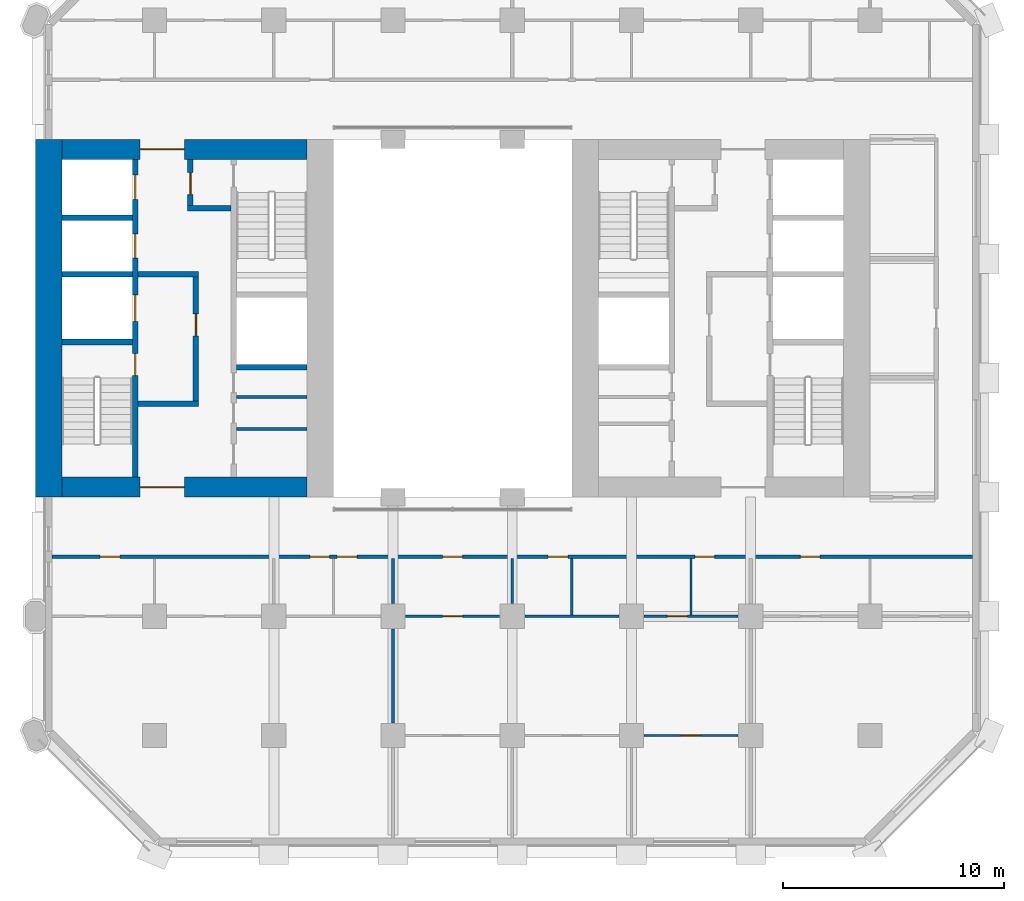
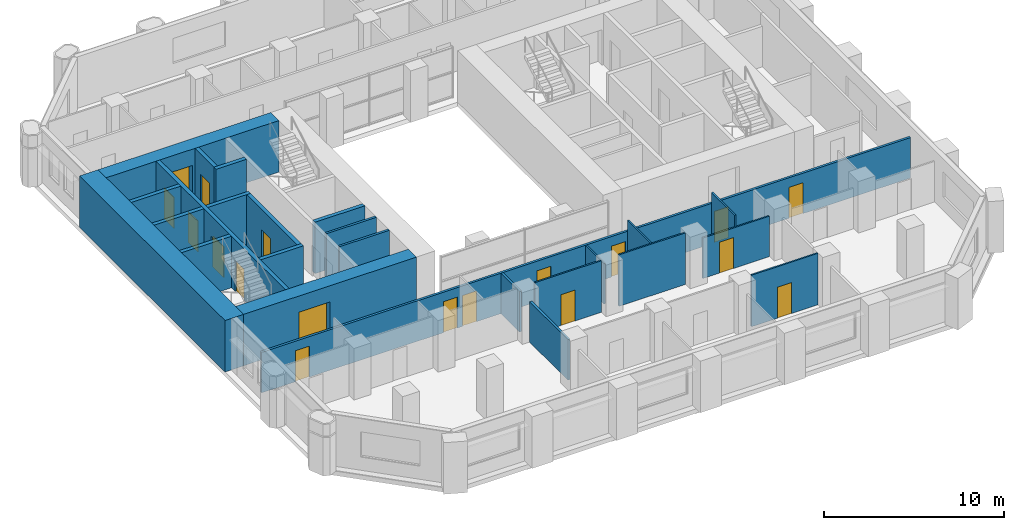
# One storey, part 8 of 13: 25 walls, 18 doors, 18 openings.
"""IFC4 building model written with IfcOpenShell, lengths in metres."""

import ifcopenshell
import ifcopenshell.guid

model = None  # the IFC model being written
_history = None  # IfcOwnerHistory: only IFC2X3 demands one
_inside = {}  # id of a spatial element -> (the spatial element, [elements in it])
_under = {}  # id of a project, library or spatial element -> (it, [spatial elements below it])
_declared = {}  # id of a project -> (the project, [libraries it declares])
_typed = {}  # id of a type object -> (the type object, [elements of that type])
_made_of = {}  # id of a material, layer set ... -> (it, [elements and type objects made of it])


def new_model(schema):
    """Start an empty IFC model of exactly this schema.

    Asked for "IFC4X3", IfcOpenShell would pick the latest addendum, in which some entities
    have other attributes; the version numbers below select the first issue.
    IFC2X3 requires an IfcOwnerHistory on every rooted entity: one is made here for all.
    """
    global model, _history
    if schema == "IFC4X3":
        model = ifcopenshell.file(schema_version=(4, 3, 0, 0))
    else:
        model = ifcopenshell.file(schema=schema)
    _inside.clear()
    _under.clear()
    _declared.clear()
    _typed.clear()
    _made_of.clear()
    _history = None
    if model.schema == "IFC2X3":
        org = make("IfcOrganization", Name="unknown")
        user = make(
            "IfcPersonAndOrganization",
            ThePerson=make("IfcPerson", FamilyName="unknown"),
            TheOrganization=org,
        )
        app = make(
            "IfcApplication",
            ApplicationDeveloper=org,
            Version="unknown",
            ApplicationFullName="unknown",
            ApplicationIdentifier="unknown",
        )
        _history = make(
            "IfcOwnerHistory",
            OwningUser=user,
            OwningApplication=app,
            ChangeAction="ADDED",
            CreationDate=0,
        )
    return model


def make(cls, **values):
    """One entity of the class cls with the attributes given. An attribute that is None is left unset."""
    return model.create_entity(
        cls, **{name: value for name, value in values.items() if value is not None}
    )


def rooted(cls, **values):
    """An entity with a GlobalId (a new one), such as an element, a storey or a relation."""
    return make(cls, GlobalId=ifcopenshell.guid.new(), OwnerHistory=_history, **values)


def si_unit(unit_type, name, prefix=None):
    """IfcSIUnit, for example si_unit("LENGTHUNIT", "METRE", prefix="MILLI")."""
    return make("IfcSIUnit", UnitType=unit_type, Prefix=prefix, Name=name)


def assignment(units):
    """IfcUnitAssignment: the units of a project."""
    return None if units is None else make("IfcUnitAssignment", Units=units)


def point(xyz):
    """IfcCartesianPoint."""
    return None if xyz is None else make("IfcCartesianPoint", Coordinates=xyz)


def direction(xyz):
    """IfcDirection."""
    return None if xyz is None else make("IfcDirection", DirectionRatios=xyz)


def frame(location, z_axis=None, x_axis=None):
    """IfcAxis2Placement3D, a coordinate frame: its origin and axes. An axis left out is left unset."""
    return make(
        "IfcAxis2Placement3D",
        Location=point(location),
        Axis=direction(z_axis),
        RefDirection=direction(x_axis),
    )


def frame_2d(location, x_axis=None):
    """IfcAxis2Placement2D, a coordinate frame in the plane: its origin and x axis."""
    return make(
        "IfcAxis2Placement2D", Location=point(location), RefDirection=direction(x_axis)
    )


def origin():
    """The frame at (0, 0, 0) with its axes left unset."""
    return frame((0.0, 0.0, 0.0))


def place(relative_to, where):
    """IfcLocalPlacement: puts the frame where relative to a parent placement (None: the world)."""
    return make(
        "IfcLocalPlacement", PlacementRelTo=relative_to, RelativePlacement=where
    )


def context(
    kind, dimensions, precision=None, world=None, true_north=None, identifier=None
):
    """IfcGeometricRepresentationContext, for example the 3D "Model" context."""
    return make(
        "IfcGeometricRepresentationContext",
        ContextIdentifier=identifier,
        ContextType=kind,
        CoordinateSpaceDimension=dimensions,
        Precision=precision,
        WorldCoordinateSystem=world,
        TrueNorth=true_north,
    )


def subcontext(parent, identifier, kind, view, scale=None):
    """IfcGeometricRepresentationSubContext, for example "Body" below "Model"."""
    return make(
        "IfcGeometricRepresentationSubContext",
        ContextIdentifier=identifier,
        ContextType=kind,
        ParentContext=parent,
        TargetScale=scale,
        TargetView=view,
    )


def project(units=None, contexts=None):
    """IfcProject with its units and contexts."""
    return rooted(
        "IfcProject",
        Name="project",
        RepresentationContexts=contexts,
        UnitsInContext=assignment(units),
    )


def spatial(cls, under=None, at=None, **own):
    """A site, building, storey or space (cls), placed at a placement, below another one or the project."""
    s = rooted(cls, ObjectPlacement=at, **own)
    if under is not None:
        _under.setdefault(under.id(), (under, []))[1].append(s)
    return s


def profile(cls, at=None, kind="AREA", **sizes):
    """A parametric profile (cls). Its sizes go by their IFC names, for example OverallWidth=200.0."""
    return make(cls, ProfileType=kind, Position=at, **sizes)


def rectangle(**sizes):
    """IfcRectangleProfileDef."""
    return profile("IfcRectangleProfileDef", **sizes)


def extrude(swept, where, along, depth):
    """IfcExtrudedAreaSolid: the profile swept, set in the frame where, extruded along a direction by depth."""
    return make(
        "IfcExtrudedAreaSolid",
        SweptArea=swept,
        Position=where,
        ExtrudedDirection=direction(along),
        Depth=depth,
    )


def shape(context_of_items, identifier, shape_type, items):
    """IfcShapeRepresentation: the items that make up one representation, for example the "Body"."""
    return make(
        "IfcShapeRepresentation",
        ContextOfItems=context_of_items,
        RepresentationIdentifier=identifier,
        RepresentationType=shape_type,
        Items=items,
    )


def material(Name=None, Category=None):
    """IfcMaterial."""
    return make("IfcMaterial", Name=Name, Category=Category)


def layer(
    of_material, thickness, ventilated=None, Name=None, Category=None, Priority=None
):
    """IfcMaterialLayer: one layer of a wall or slab, of a material (None: an air gap)."""
    return make(
        "IfcMaterialLayer",
        Material=of_material,
        LayerThickness=thickness,
        IsVentilated=ventilated,
        Name=Name,
        Category=Category,
        Priority=Priority,
    )


def layer_set(layers, Name=None):
    """IfcMaterialLayerSet."""
    return make("IfcMaterialLayerSet", MaterialLayers=layers, LayerSetName=Name)


def made_of(thing, what):
    """Note that an element or type object is made of a material, layer set ...; save() writes the relation."""
    if what is not None:
        _made_of.setdefault(what.id(), (what, []))[1].append(thing)
    return thing


def type_object(cls, material=None, **own):
    """A type object (cls), such as IfcWallType, which elements share."""
    return made_of(rooted(cls, **own), material)


def element(
    cls,
    number,
    at=None,
    inside=None,
    cuts=None,
    type_object=None,
    material=None,
    context=None,
    identifier="Body",
    shape_type=None,
    held_by="IfcProductDefinitionShape",
    body=None,
    shapes=None,
    **own,
):
    """One element of the class cls, such as IfcWall. Its Tag is "e" and its number.

    at: its placement. inside: the storey or other place that contains it. cuts: it is an
    opening in that element (IfcRelVoidsElement). A single representation is given by context,
    identifier, shape_type and body (its items); several are given by shapes. held_by: the class
    of the entity that holds the representations. save() writes the other relations.
    """
    e = rooted(cls, Tag="e%d" % number, ObjectPlacement=at, **own)
    if body is not None:
        shapes = [shape(context, identifier, shape_type, body)]
    if shapes is not None:
        e.Representation = make(held_by, Representations=shapes)
    if inside is not None:
        _inside.setdefault(inside.id(), (inside, []))[1].append(e)
    if cuts is not None:
        rooted(
            "IfcRelVoidsElement", RelatingBuildingElement=cuts, RelatedOpeningElement=e
        )
    if type_object is not None:
        _typed.setdefault(type_object.id(), (type_object, []))[1].append(e)
    return made_of(e, material)


def fill(opening, filler):
    """IfcRelFillsElement: the door or window that sits in an opening."""
    return rooted(
        "IfcRelFillsElement",
        RelatingOpeningElement=opening,
        RelatedBuildingElement=filler,
    )


def aggregate(whole, parts):
    """IfcRelAggregates: a whole, such as a stair, and the parts it consists of."""
    return rooted("IfcRelAggregates", RelatingObject=whole, RelatedObjects=parts)


def save(model, path):
    """Write the relations noted so far, then the file.

    IfcRelAggregates (storeys below a building ...), IfcRelContainedInSpatialStructure (elements
    in a storey), IfcRelDefinesByType, IfcRelAssociatesMaterial and IfcRelDeclares: one each for
    every whole, place, type object, material and project.
    """
    for whole, parts in _under.values():
        aggregate(whole, parts)
    for where, things in _inside.values():
        rooted(
            "IfcRelContainedInSpatialStructure",
            RelatedElements=things,
            RelatingStructure=where,
        )
    for kind, things in _typed.values():
        rooted("IfcRelDefinesByType", RelatedObjects=things, RelatingType=kind)
    for what, things in _made_of.values():
        rooted("IfcRelAssociatesMaterial", RelatedObjects=things, RelatingMaterial=what)
    for by, libraries in _declared.values():
        rooted("IfcRelDeclares", RelatingContext=by, RelatedDefinitions=libraries)
    model.write(path)


model = new_model("IFC4")

# Units and contexts
model_context = context("Model", 3, precision=1e-05, world=origin(), true_north=direction((0.0, 1.0)))
body_context = subcontext(model_context, "Body", "Model", "MODEL_VIEW")
ifc_project = project(units=[si_unit("LENGTHUNIT", "METRE"), si_unit("AREAUNIT", "SQUARE_METRE"), si_unit("VOLUMEUNIT", "CUBIC_METRE"), si_unit("PLANEANGLEUNIT", "RADIAN"), si_unit("MASSUNIT", "GRAM", prefix="KILO")], contexts=[model_context])

# Site, building, storey
site_placement = place(None, origin())
site = spatial("IfcSite", under=ifc_project, at=site_placement, CompositionType="ELEMENT")
building_placement = place(site_placement, origin())
building = spatial("IfcBuilding", under=site, at=building_placement, Name="Tabaq Tower and Sports Hall", CompositionType="ELEMENT")
storey_placement = place(building_placement, frame((0.0, 0.0, 41.199951171875)))
storey = spatial("IfcBuildingStorey", under=building, at=storey_placement, Name="L08", CompositionType="ELEMENT", Elevation=41.199951171875)

# Walls
ifc_material_1 = material(Name="Blockwork", Category="masonry")
ifc_layer_1 = layer(ifc_material_1, 0.14990234375)
ifc_layer_set_1 = layer_set([ifc_layer_1], Name="Core room partition 150 Blockwork")
wall_type_1 = type_object("IfcWallType", Name="Core room partition 150 Blockwork", PredefinedType="PARTITIONING", material=ifc_layer_set_1)
for number, where, z_axis, x_axis, name in (
    (1, (14.5, 19.282958984375, 0.0), (0.0, 0.0, 1.0), (1.0, 0.0, 0.0), "Core room partition W L08"),
    (2, (14.5, 20.738037109375, 0.0), (0.0, 0.0, 1.0), (1.0, 0.0, 0.0), "Core room partition W L08"),
):
    element("IfcWall", number, at=place(storey_placement, frame(where, z_axis=z_axis, x_axis=x_axis)), inside=storey, type_object=wall_type_1, Name=name, PredefinedType="PARTITIONING", context=body_context, shape_type="SweptSolid", body=[
        extrude(rectangle(XDim=3.199951171875, YDim=0.14990234375, at=frame_2d((1.60009765625, 0.0))), origin(), (0.0, 0.0, 1.0), 3.5),
    ])
ifc_material_2 = material(Name="Concrete C60/75", Category="concrete")
ifc_layer_2 = layer(ifc_material_2, 1.199951171875)
ifc_layer_set_2 = layer_set([ifc_layer_2], Name="Core wall 1200 Concrete C60/75")
wall_type_2 = type_object("IfcWallType", Name="Core wall 1200 Concrete C60/75", PredefinedType="SOLIDWALL", material=ifc_layer_set_2)
wall_1_placement = place(storey_placement, frame((6.0, 16.199951171875, 0.0), z_axis=(0.0, 0.0, 1.0), x_axis=(0.0, 1.0, 0.0)))
element("IfcWall", 3, at=wall_1_placement, inside=storey, type_object=wall_type_2, Name="Core wall W L08", PredefinedType="SOLIDWALL", context=body_context, shape_type="SweptSolid", body=[
    extrude(rectangle(XDim=16.199951171875, YDim=1.199951171875, at=frame_2d((8.10009765625, 0.0))), origin(), (0.0, 0.0, 1.0), 3.5),
])

# Wall, opening, door
ifc_material_3 = material(Name="Concrete C60/75", Category="concrete")
ifc_layer_3 = layer(ifc_material_3, 0.89990234375)
ifc_layer_set_3 = layer_set([ifc_layer_3], Name="Core wall 900 Concrete C60/75")
wall_type_3 = type_object("IfcWallType", Name="Core wall 900 Concrete C60/75", PredefinedType="SOLIDWALL", material=ifc_layer_set_3)
wall_2_placement = place(storey_placement, frame((17.699951171875, 16.64990234375, 0.0), z_axis=(0.0, 0.0, 1.0), x_axis=(-1.0, 0.0, 0.0)))
wall_2 = element("IfcWall", 4, at=wall_2_placement, inside=storey, type_object=wall_type_3, Name="Core wall W L08", PredefinedType="SOLIDWALL", context=body_context, shape_type="SweptSolid", body=[
    extrude(rectangle(XDim=11.099853515625, YDim=0.89990234375, at=frame_2d((5.5498046875, 0.0))), origin(), (0.0, 0.0, 1.0), 3.5),
])
opening_1_placement = place(wall_2_placement, frame((5.550048828125, 0.0, 0.0)))
opening_1 = element("IfcOpeningElement", 5, at=opening_1_placement, cuts=wall_2, Name="Opening PD-WL08-01", PredefinedType="OPENING", context=body_context, shape_type="SweptSolid", body=[
    extrude(rectangle(XDim=2.0, YDim=2.39990234375, at=frame_2d((1.0, 1.199951171875))), frame((0.0, 0.449951171875, 0.0), z_axis=(0.0, -1.0, 0.0), x_axis=(1.0, 0.0, 0.0)), (0.0, 0.0, 1.0), 0.89990234375),
])
ifc_material_4 = material(Name="Steel fire door", Category="steel")
door_type_1 = type_object("IfcDoorType", Name="Core entrance door 2000", OperationType="DOUBLE_DOOR_SINGLE_SWING", PredefinedType="DOOR", material=ifc_material_4)
door_1_placement = place(opening_1_placement, origin())
door_1 = element("IfcDoor", 6, at=door_1_placement, inside=storey, type_object=door_type_1, Name="Core entrance south W L08", OperationType="DOUBLE_DOOR_SINGLE_SWING", OverallHeight=2.39990234375, OverallWidth=2.0, PredefinedType="DOOR", context=body_context, shape_type="SweptSolid", body=[
    extrude(rectangle(XDim=2.0, YDim=2.39990234375, at=frame_2d((1.0, 1.199951171875))), frame((0.0, 0.02490234375, 0.0), z_axis=(0.0, -1.0, 0.0), x_axis=(1.0, 0.0, 0.0)), (0.0, 0.0, 1.0), 0.050048828125),
])
fill(opening_1, door_1)

wall_3_placement = place(storey_placement, frame((6.60009765625, 31.949951171875, 0.0), z_axis=(0.0, 0.0, 1.0), x_axis=(1.0, 0.0, 0.0)))
wall_3 = element("IfcWall", 7, at=wall_3_placement, inside=storey, type_object=wall_type_3, Name="Core wall W L08", PredefinedType="SOLIDWALL", context=body_context, shape_type="SweptSolid", body=[
    extrude(rectangle(XDim=11.099853515625, YDim=0.89990234375, at=frame_2d((5.5498046875, 0.0))), origin(), (0.0, 0.0, 1.0), 3.5),
])
opening_2_placement = place(wall_3_placement, frame((3.550048828125, 0.0, 0.0)))
opening_2 = element("IfcOpeningElement", 8, at=opening_2_placement, cuts=wall_3, Name="Opening PD-WL08-02", PredefinedType="OPENING", context=body_context, shape_type="SweptSolid", body=[
    extrude(rectangle(XDim=2.0, YDim=2.39990234375, at=frame_2d((1.0, 1.199951171875))), frame((0.0, 0.449951171875, 0.0), z_axis=(0.0, -1.0, 0.0), x_axis=(1.0, 0.0, 0.0)), (0.0, 0.0, 1.0), 0.89990234375),
])
door_2_placement = place(opening_2_placement, origin())
door_2 = element("IfcDoor", 9, at=door_2_placement, inside=storey, type_object=door_type_1, Name="Core entrance north W L08", OperationType="DOUBLE_DOOR_SINGLE_SWING", OverallHeight=2.39990234375, OverallWidth=2.0, PredefinedType="DOOR", context=body_context, shape_type="SweptSolid", body=[
    extrude(rectangle(XDim=2.0, YDim=2.39990234375, at=frame_2d((1.0, 1.199951171875))), frame((0.0, 0.02490234375, 0.0), z_axis=(0.0, -1.0, 0.0), x_axis=(1.0, 0.0, 0.0)), (0.0, 0.0, 1.0), 0.050048828125),
])
fill(opening_2, door_2)

ifc_material_5 = material(Name="Gypsum board on steel studs", Category="steel")
ifc_layer_4 = layer(ifc_material_5, 0.10009765625)
ifc_layer_set_4 = layer_set([ifc_layer_4], Name="Partition 100 Gypsum board")
wall_type_4 = type_object("IfcWallType", Name="Partition 100 Gypsum board", PredefinedType="PARTITIONING", material=ifc_layer_set_4)
wall_4_placement = place(storey_placement, frame((22.169921875, 10.800048828125, 0.0), z_axis=(0.0, 0.0, 1.0), x_axis=(1.0, 0.0, 0.0)))
wall_4 = element("IfcWall", 10, at=wall_4_placement, inside=storey, type_object=wall_type_4, Name="Partition wall L08", PredefinedType="PARTITIONING", context=body_context, shape_type="SweptSolid", body=[
    extrude(rectangle(XDim=4.260009765625, YDim=0.10009765625, at=frame_2d((2.1298828125, 0.0))), origin(), (0.0, 0.0, 1.0), 3.5),
])
opening_3_placement = place(wall_4_placement, frame((1.679931640625, 0.0, 0.0)))
opening_3 = element("IfcOpeningElement", 11, at=opening_3_placement, cuts=wall_4, Name="Opening L08-029", PredefinedType="OPENING", context=body_context, shape_type="SweptSolid", body=[
    extrude(rectangle(XDim=0.89990234375, YDim=2.10009765625, at=frame_2d((0.449951171875, 1.050048828125))), frame((0.0, 0.050048828125, 0.0), z_axis=(0.0, -1.0, 0.0), x_axis=(1.0, 0.0, 0.0)), (0.0, 0.0, 1.0), 0.10009765625),
])
ifc_material_6 = material(Name="Timber leaf in steel frame", Category="steel")
door_type_2 = type_object("IfcDoorType", Name="Internal door 900 right hand", OperationType="SINGLE_SWING_RIGHT", PredefinedType="DOOR", material=ifc_material_6)
door_3_placement = place(opening_3_placement, origin())
door_3 = element("IfcDoor", 12, at=door_3_placement, inside=storey, type_object=door_type_2, Name="Internal door L08-029", OperationType="SINGLE_SWING_RIGHT", OverallHeight=2.10009765625, OverallWidth=0.89990234375, PredefinedType="DOOR", context=body_context, shape_type="SweptSolid", body=[
    extrude(rectangle(XDim=0.89990234375, YDim=2.10009765625, at=frame_2d((0.449951171875, 1.050048828125))), frame((0.0, 0.02490234375, 0.0), z_axis=(0.0, -1.0, 0.0), x_axis=(1.0, 0.0, 0.0)), (0.0, 0.0, 1.0), 0.050048828125),
])
fill(opening_3, door_3)

# Walls
wall_5_placement = place(storey_placement, frame((27.0, 11.3701171875, 0.0), z_axis=(0.0, 0.0, 1.0), x_axis=(0.0, 1.0, 0.0)))
element("IfcWall", 13, at=wall_5_placement, inside=storey, type_object=wall_type_4, Name="Partition wall L08", PredefinedType="PARTITIONING", context=body_context, shape_type="SweptSolid", body=[
    extrude(rectangle(XDim=2.054931640625, YDim=0.10009765625, at=frame_2d((1.02734375, 0.0))), origin(), (0.0, 0.0, 1.0), 2.75),
])
wall_6_placement = place(storey_placement, frame((29.699951171875, 10.85009765625, 0.0), z_axis=(0.0, 0.0, 1.0), x_axis=(0.0, 1.0, 0.0)))
element("IfcWall", 14, at=wall_6_placement, inside=storey, type_object=wall_type_4, Name="Partition wall L08", PredefinedType="PARTITIONING", context=body_context, shape_type="SweptSolid", body=[
    extrude(rectangle(XDim=2.574951171875, YDim=0.10009765625, at=frame_2d((1.28759765625, 0.0))), origin(), (0.0, 0.0, 1.0), 3.5),
])
wall_7_placement = place(storey_placement, frame((27.570068359375, 10.800048828125, 0.0), z_axis=(0.0, 0.0, 1.0), x_axis=(1.0, 0.0, 0.0)))
element("IfcWall", 15, at=wall_7_placement, inside=storey, type_object=wall_type_4, Name="Partition wall L08", PredefinedType="PARTITIONING", context=body_context, shape_type="SweptSolid", body=[
    extrude(rectangle(XDim=4.260009765625, YDim=0.10009765625, at=frame_2d((2.1298828125, 0.0))), origin(), (0.0, 0.0, 1.0), 3.5),
])
wall_8_placement = place(storey_placement, frame((35.10009765625, 10.85009765625, 0.0), z_axis=(0.0, 0.0, 1.0), x_axis=(0.0, 1.0, 0.0)))
element("IfcWall", 16, at=wall_8_placement, inside=storey, type_object=wall_type_4, Name="Partition wall L08", PredefinedType="PARTITIONING", context=body_context, shape_type="SweptSolid", body=[
    extrude(rectangle(XDim=2.574951171875, YDim=0.10009765625, at=frame_2d((1.28759765625, 0.0))), origin(), (0.0, 0.0, 1.0), 3.5),
])

# Wall, opening, door
wall_9_placement = place(storey_placement, frame((32.969970703125, 10.800048828125, 0.0), z_axis=(0.0, 0.0, 1.0), x_axis=(1.0, 0.0, 0.0)))
wall_9 = element("IfcWall", 17, at=wall_9_placement, inside=storey, type_object=wall_type_4, Name="Partition wall L08", PredefinedType="PARTITIONING", context=body_context, shape_type="SweptSolid", body=[
    extrude(rectangle(XDim=4.260009765625, YDim=0.10009765625, at=frame_2d((2.1298828125, 0.0))), origin(), (0.0, 0.0, 1.0), 2.75),
])
opening_4_placement = place(wall_9_placement, frame((1.06005859375, 0.0, 0.0)))
opening_4 = element("IfcOpeningElement", 18, at=opening_4_placement, cuts=wall_9, Name="Opening L08-018", PredefinedType="OPENING", context=body_context, shape_type="SweptSolid", body=[
    extrude(rectangle(XDim=0.89990234375, YDim=2.10009765625, at=frame_2d((0.449951171875, 1.050048828125))), frame((0.0, 0.050048828125, 0.0), z_axis=(0.0, -1.0, 0.0), x_axis=(1.0, 0.0, 0.0)), (0.0, 0.0, 1.0), 0.10009765625),
])
ifc_material_7 = material(Name="Timber leaf in steel frame", Category="steel")
door_type_3 = type_object("IfcDoorType", Name="Internal door 900 left hand", OperationType="SINGLE_SWING_LEFT", PredefinedType="DOOR", material=ifc_material_7)
door_4_placement = place(opening_4_placement, origin())
door_4 = element("IfcDoor", 19, at=door_4_placement, inside=storey, type_object=door_type_3, Name="Internal door L08-018", OperationType="SINGLE_SWING_LEFT", OverallHeight=2.10009765625, OverallWidth=0.89990234375, PredefinedType="DOOR", context=body_context, shape_type="SweptSolid", body=[
    extrude(rectangle(XDim=0.89990234375, YDim=2.10009765625, at=frame_2d((0.449951171875, 1.050048828125))), frame((0.0, 0.02490234375, 0.0), z_axis=(0.0, -1.0, 0.0), x_axis=(1.0, 0.0, 0.0)), (0.0, 0.0, 1.0), 0.050048828125),
])
fill(opening_4, door_4)

wall_10_placement = place(storey_placement, frame((32.969970703125, 5.39990234375, 0.0), z_axis=(0.0, 0.0, 1.0), x_axis=(1.0, 0.0, 0.0)))
wall_10 = element("IfcWall", 20, at=wall_10_placement, inside=storey, type_object=wall_type_4, Name="Partition wall L08", PredefinedType="PARTITIONING", context=body_context, shape_type="SweptSolid", body=[
    extrude(rectangle(XDim=4.260009765625, YDim=0.10009765625, at=frame_2d((2.1298828125, 0.0))), origin(), (0.0, 0.0, 1.0), 3.5),
])
opening_5_placement = place(wall_10_placement, frame((1.679931640625, 0.0, 0.0)))
opening_5 = element("IfcOpeningElement", 21, at=opening_5_placement, cuts=wall_10, Name="Opening L08-021", PredefinedType="OPENING", context=body_context, shape_type="SweptSolid", body=[
    extrude(rectangle(XDim=0.89990234375, YDim=2.10009765625, at=frame_2d((0.449951171875, 1.050048828125))), frame((0.0, 0.050048828125, 0.0), z_axis=(0.0, -1.0, 0.0), x_axis=(1.0, 0.0, 0.0)), (0.0, 0.0, 1.0), 0.10009765625),
])
door_5_placement = place(opening_5_placement, origin())
door_5 = element("IfcDoor", 22, at=door_5_placement, inside=storey, type_object=door_type_3, Name="Internal door L08-021", OperationType="SINGLE_SWING_LEFT", OverallHeight=2.10009765625, OverallWidth=0.89990234375, PredefinedType="DOOR", context=body_context, shape_type="SweptSolid", body=[
    extrude(rectangle(XDim=0.89990234375, YDim=2.10009765625, at=frame_2d((0.449951171875, 1.050048828125))), frame((0.0, 0.02490234375, 0.0), z_axis=(0.0, -1.0, 0.0), x_axis=(1.0, 0.0, 0.0)), (0.0, 0.0, 1.0), 0.050048828125),
])
fill(opening_5, door_5)

# Wall, openings, doors
ifc_material_8 = material(Name="Blockwork", Category="masonry")
ifc_layer_5 = layer(ifc_material_8, 0.14990234375)
ifc_layer_set_5 = layer_set([ifc_layer_5], Name="Separating wall 150 Blockwork")
wall_type_5 = type_object("IfcWallType", Name="Separating wall 150 Blockwork", PredefinedType="PARTITIONING", material=ifc_layer_set_5)
wall_11_placement = place(storey_placement, frame((6.15087890625, 13.5, 0.0), z_axis=(0.0, 0.0, 1.0), x_axis=(1.0, 0.0, 0.0)))
wall_11 = element("IfcWall", 23, at=wall_11_placement, inside=storey, type_object=wall_type_5, Name="Separating wall L08", PredefinedType="PARTITIONING", context=body_context, shape_type="SweptSolid", body=[
    extrude(rectangle(XDim=41.6982421875, YDim=0.14990234375, at=frame_2d((20.84912109375, 0.0))), origin(), (0.0, 0.0, 1.0), 2.75),
])
opening_6_placement = place(wall_11_placement, frame((11.678955078125, 0.0, 0.0)))
opening_6 = element("IfcOpeningElement", 24, at=opening_6_placement, cuts=wall_11, Name="Opening L08-005", PredefinedType="OPENING", context=body_context, shape_type="SweptSolid", body=[
    extrude(rectangle(XDim=0.89990234375, YDim=2.10009765625, at=frame_2d((0.449951171875, 1.050048828125))), frame((0.0, 0.074951171875, 0.0), z_axis=(0.0, -1.0, 0.0), x_axis=(1.0, 0.0, 0.0)), (0.0, 0.0, 1.0), 0.14990234375),
])
opening_7_placement = place(wall_11_placement, frame((12.9189453125, 0.0, 0.0)))
opening_7 = element("IfcOpeningElement", 25, at=opening_7_placement, cuts=wall_11, Name="Opening L08-006", PredefinedType="OPENING", context=body_context, shape_type="SweptSolid", body=[
    extrude(rectangle(XDim=0.89990234375, YDim=2.10009765625, at=frame_2d((0.449951171875, 1.050048828125))), frame((0.0, 0.074951171875, 0.0), z_axis=(0.0, -1.0, 0.0), x_axis=(1.0, 0.0, 0.0)), (0.0, 0.0, 1.0), 0.14990234375),
])
opening_8_placement = place(wall_11_placement, frame((22.47900390625, 0.0, 0.0)))
opening_8 = element("IfcOpeningElement", 26, at=opening_8_placement, cuts=wall_11, Name="Opening L08-007", PredefinedType="OPENING", context=body_context, shape_type="SweptSolid", body=[
    extrude(rectangle(XDim=0.89990234375, YDim=2.10009765625, at=frame_2d((0.449951171875, 1.050048828125))), frame((0.0, 0.074951171875, 0.0), z_axis=(0.0, -1.0, 0.0), x_axis=(1.0, 0.0, 0.0)), (0.0, 0.0, 1.0), 0.14990234375),
])
opening_9_placement = place(wall_11_placement, frame((29.118896484375, 0.0, 0.0)))
opening_9 = element("IfcOpeningElement", 27, at=opening_9_placement, cuts=wall_11, Name="Opening L08-008", PredefinedType="OPENING", context=body_context, shape_type="SweptSolid", body=[
    extrude(rectangle(XDim=0.89990234375, YDim=2.10009765625, at=frame_2d((0.449951171875, 1.050048828125))), frame((0.0, 0.074951171875, 0.0), z_axis=(0.0, -1.0, 0.0), x_axis=(1.0, 0.0, 0.0)), (0.0, 0.0, 1.0), 0.14990234375),
])
opening_10_placement = place(wall_11_placement, frame((2.174072265625, 0.0, 0.0)))
opening_10 = element("IfcOpeningElement", 28, at=opening_10_placement, cuts=wall_11, Name="Opening L08-024", PredefinedType="OPENING", context=body_context, shape_type="SweptSolid", body=[
    extrude(rectangle(XDim=0.89990234375, YDim=2.10009765625, at=frame_2d((0.449951171875, 1.050048828125))), frame((0.0, 0.074951171875, 0.0), z_axis=(0.0, -1.0, 0.0), x_axis=(1.0, 0.0, 0.0)), (0.0, 0.0, 1.0), 0.14990234375),
])
opening_11_placement = place(wall_11_placement, frame((17.698974609375, 0.0, 0.0)))
opening_11 = element("IfcOpeningElement", 29, at=opening_11_placement, cuts=wall_11, Name="Opening L08-025", PredefinedType="OPENING", context=body_context, shape_type="SweptSolid", body=[
    extrude(rectangle(XDim=0.89990234375, YDim=2.10009765625, at=frame_2d((0.449951171875, 1.050048828125))), frame((0.0, 0.074951171875, 0.0), z_axis=(0.0, -1.0, 0.0), x_axis=(1.0, 0.0, 0.0)), (0.0, 0.0, 1.0), 0.14990234375),
])
opening_12_placement = place(wall_11_placement, frame((33.89892578125, 0.0, 0.0)))
opening_12 = element("IfcOpeningElement", 30, at=opening_12_placement, cuts=wall_11, Name="Opening L08-026", PredefinedType="OPENING", context=body_context, shape_type="SweptSolid", body=[
    extrude(rectangle(XDim=0.89990234375, YDim=2.10009765625, at=frame_2d((0.449951171875, 1.050048828125))), frame((0.0, 0.074951171875, 0.0), z_axis=(0.0, -1.0, 0.0), x_axis=(1.0, 0.0, 0.0)), (0.0, 0.0, 1.0), 0.14990234375),
])
ifc_material_9 = material(Name="Steel fire door", Category="steel")
door_type_4 = type_object("IfcDoorType", Name="Entrance door 900 right hand", OperationType="SINGLE_SWING_RIGHT", PredefinedType="DOOR", material=ifc_material_9)
door_6_placement = place(opening_6_placement, origin())
door_6 = element("IfcDoor", 31, at=door_6_placement, inside=storey, type_object=door_type_4, Name="Entrance door L08-005", OperationType="SINGLE_SWING_RIGHT", OverallHeight=2.10009765625, OverallWidth=0.89990234375, PredefinedType="DOOR", context=body_context, shape_type="SweptSolid", body=[
    extrude(rectangle(XDim=0.89990234375, YDim=2.10009765625, at=frame_2d((0.449951171875, 1.050048828125))), frame((0.0, 0.02490234375, 0.0), z_axis=(0.0, -1.0, 0.0), x_axis=(1.0, 0.0, 0.0)), (0.0, 0.0, 1.0), 0.050048828125),
])
fill(opening_6, door_6)
door_7_placement = place(opening_7_placement, origin())
door_7 = element("IfcDoor", 32, at=door_7_placement, inside=storey, type_object=door_type_4, Name="Entrance door L08-006", OperationType="SINGLE_SWING_RIGHT", OverallHeight=2.10009765625, OverallWidth=0.89990234375, PredefinedType="DOOR", context=body_context, shape_type="SweptSolid", body=[
    extrude(rectangle(XDim=0.89990234375, YDim=2.10009765625, at=frame_2d((0.449951171875, 1.050048828125))), frame((0.0, 0.02490234375, 0.0), z_axis=(0.0, -1.0, 0.0), x_axis=(1.0, 0.0, 0.0)), (0.0, 0.0, 1.0), 0.050048828125),
])
fill(opening_7, door_7)
door_8_placement = place(opening_8_placement, origin())
door_8 = element("IfcDoor", 33, at=door_8_placement, inside=storey, type_object=door_type_4, Name="Entrance door L08-007", OperationType="SINGLE_SWING_RIGHT", OverallHeight=2.10009765625, OverallWidth=0.89990234375, PredefinedType="DOOR", context=body_context, shape_type="SweptSolid", body=[
    extrude(rectangle(XDim=0.89990234375, YDim=2.10009765625, at=frame_2d((0.449951171875, 1.050048828125))), frame((0.0, 0.02490234375, 0.0), z_axis=(0.0, -1.0, 0.0), x_axis=(1.0, 0.0, 0.0)), (0.0, 0.0, 1.0), 0.050048828125),
])
fill(opening_8, door_8)
door_9_placement = place(opening_9_placement, origin())
door_9 = element("IfcDoor", 34, at=door_9_placement, inside=storey, type_object=door_type_4, Name="Entrance door L08-008", OperationType="SINGLE_SWING_RIGHT", OverallHeight=2.10009765625, OverallWidth=0.89990234375, PredefinedType="DOOR", context=body_context, shape_type="SweptSolid", body=[
    extrude(rectangle(XDim=0.89990234375, YDim=2.10009765625, at=frame_2d((0.449951171875, 1.050048828125))), frame((0.0, 0.02490234375, 0.0), z_axis=(0.0, -1.0, 0.0), x_axis=(1.0, 0.0, 0.0)), (0.0, 0.0, 1.0), 0.050048828125),
])
fill(opening_9, door_9)
door_10_placement = place(opening_10_placement, origin())
door_10 = element("IfcDoor", 35, at=door_10_placement, inside=storey, type_object=door_type_4, Name="Entrance door L08-024", OperationType="SINGLE_SWING_RIGHT", OverallHeight=2.10009765625, OverallWidth=0.89990234375, PredefinedType="DOOR", context=body_context, shape_type="SweptSolid", body=[
    extrude(rectangle(XDim=0.89990234375, YDim=2.10009765625, at=frame_2d((0.449951171875, 1.050048828125))), frame((0.0, 0.02490234375, 0.0), z_axis=(0.0, -1.0, 0.0), x_axis=(1.0, 0.0, 0.0)), (0.0, 0.0, 1.0), 0.050048828125),
])
fill(opening_10, door_10)
door_11_placement = place(opening_11_placement, origin())
door_11 = element("IfcDoor", 36, at=door_11_placement, inside=storey, type_object=door_type_4, Name="Entrance door L08-025", OperationType="SINGLE_SWING_RIGHT", OverallHeight=2.10009765625, OverallWidth=0.89990234375, PredefinedType="DOOR", context=body_context, shape_type="SweptSolid", body=[
    extrude(rectangle(XDim=0.89990234375, YDim=2.10009765625, at=frame_2d((0.449951171875, 1.050048828125))), frame((0.0, 0.02490234375, 0.0), z_axis=(0.0, -1.0, 0.0), x_axis=(1.0, 0.0, 0.0)), (0.0, 0.0, 1.0), 0.050048828125),
])
fill(opening_11, door_11)
door_12_placement = place(opening_12_placement, origin())
door_12 = element("IfcDoor", 37, at=door_12_placement, inside=storey, type_object=door_type_4, Name="Entrance door L08-026", OperationType="SINGLE_SWING_RIGHT", OverallHeight=2.10009765625, OverallWidth=0.89990234375, PredefinedType="DOOR", context=body_context, shape_type="SweptSolid", body=[
    extrude(rectangle(XDim=0.89990234375, YDim=2.10009765625, at=frame_2d((0.449951171875, 1.050048828125))), frame((0.0, 0.02490234375, 0.0), z_axis=(0.0, -1.0, 0.0), x_axis=(1.0, 0.0, 0.0)), (0.0, 0.0, 1.0), 0.050048828125),
])
fill(opening_12, door_12)

# Walls
wall_12_placement = place(storey_placement, frame((21.60009765625, 11.3701171875, 0.0), z_axis=(0.0, 0.0, 1.0), x_axis=(0.0, 1.0, 0.0)))
element("IfcWall", 38, at=wall_12_placement, inside=storey, type_object=wall_type_5, Name="Separating wall L08", PredefinedType="PARTITIONING", context=body_context, shape_type="SweptSolid", body=[
    extrude(rectangle(XDim=2.054931640625, YDim=0.14990234375, at=frame_2d((1.02734375, 0.0))), origin(), (0.0, 0.0, 1.0), 2.75),
])
wall_13_placement = place(storey_placement, frame((21.60009765625, 5.969970703125, 0.0), z_axis=(0.0, 0.0, 1.0), x_axis=(0.0, 1.0, 0.0)))
element("IfcWall", 39, at=wall_13_placement, inside=storey, type_object=wall_type_5, Name="Separating wall L08", PredefinedType="PARTITIONING", context=body_context, shape_type="SweptSolid", body=[
    extrude(rectangle(XDim=4.260009765625, YDim=0.14990234375, at=frame_2d((2.1298828125, 0.0))), origin(), (0.0, 0.0, 1.0), 2.75),
])

# Wall, openings, doors
ifc_material_10 = material(Name="Concrete C40/50", Category="concrete")
ifc_layer_6 = layer(ifc_material_10, 0.25)
ifc_layer_set_6 = layer_set([ifc_layer_6], Name="Shaft and stair wall 250 Concrete C40/50")
wall_type_6 = type_object("IfcWallType", Name="Shaft and stair wall 250 Concrete C40/50", PredefinedType="SOLIDWALL", material=ifc_layer_set_6)
wall_14_placement = place(storey_placement, frame((9.925048828125, 17.10009765625, 0.0), z_axis=(0.0, 0.0, 1.0), x_axis=(0.0, 1.0, 0.0)))
wall_14 = element("IfcWall", 40, at=wall_14_placement, inside=storey, type_object=wall_type_6, Name="Shaft wall W L08", PredefinedType="SOLIDWALL", context=body_context, shape_type="SweptSolid", body=[
    extrude(rectangle(XDim=14.39990234375, YDim=0.25, at=frame_2d((7.199951171875, 0.0))), origin(), (0.0, 0.0, 1.0), 3.5),
])
opening_13_placement = place(wall_14_placement, frame((4.60009765625, 0.0, 0.0)))
opening_13 = element("IfcOpeningElement", 41, at=opening_13_placement, cuts=wall_14, Name="Opening SD-WL08-03", PredefinedType="OPENING", context=body_context, shape_type="SweptSolid", body=[
    extrude(rectangle(XDim=1.0, YDim=2.10009765625, at=frame_2d((0.5, 1.050048828125))), frame((0.0, 0.125, 0.0), z_axis=(0.0, -1.0, 0.0), x_axis=(1.0, 0.0, 0.0)), (0.0, 0.0, 1.0), 0.25),
])
opening_14_placement = place(wall_14_placement, frame((7.0625, 0.0, 0.0)))
opening_14 = element("IfcOpeningElement", 42, at=opening_14_placement, cuts=wall_14, Name="Opening LD-FF1-L08", PredefinedType="OPENING", context=body_context, shape_type="SweptSolid", body=[
    extrude(rectangle(XDim=1.199951171875, YDim=2.10009765625, at=frame_2d((0.60009765625, 1.050048828125))), frame((0.0, 0.125, 0.0), z_axis=(0.0, -1.0, 0.0), x_axis=(1.0, 0.0, 0.0)), (0.0, 0.0, 1.0), 0.25),
])
opening_15_placement = place(wall_14_placement, frame((9.925048828125, 0.0, 0.0)))
opening_15 = element("IfcOpeningElement", 43, at=opening_15_placement, cuts=wall_14, Name="Opening LD-LR1-L08", PredefinedType="OPENING", context=body_context, shape_type="SweptSolid", body=[
    extrude(rectangle(XDim=1.10009765625, YDim=2.10009765625, at=frame_2d((0.550048828125, 1.050048828125))), frame((0.0, 0.125, 0.0), z_axis=(0.0, -1.0, 0.0), x_axis=(1.0, 0.0, 0.0)), (0.0, 0.0, 1.0), 0.25),
])
opening_16_placement = place(wall_14_placement, frame((12.58740234375, 0.0, 0.0)))
opening_16 = element("IfcOpeningElement", 44, at=opening_16_placement, cuts=wall_14, Name="Opening LD-LR2-L08", PredefinedType="OPENING", context=body_context, shape_type="SweptSolid", body=[
    extrude(rectangle(XDim=1.10009765625, YDim=2.10009765625, at=frame_2d((0.550048828125, 1.050048828125))), frame((0.0, 0.125, 0.0), z_axis=(0.0, -1.0, 0.0), x_axis=(1.0, 0.0, 0.0)), (0.0, 0.0, 1.0), 0.25),
])
ifc_material_11 = material(Name="Stainless steel", Category="steel")
door_type_5 = type_object("IfcDoorType", Name="Lift landing door 1100", OperationType="DOUBLE_DOOR_SLIDING", PredefinedType="DOOR", material=ifc_material_11)
door_13_placement = place(opening_15_placement, origin())
door_13 = element("IfcDoor", 45, at=door_13_placement, inside=storey, type_object=door_type_5, Name="Lift landing door LR1 W L08", OperationType="DOUBLE_DOOR_SLIDING", OverallHeight=2.10009765625, OverallWidth=1.10009765625, PredefinedType="DOOR", context=body_context, shape_type="SweptSolid", body=[
    extrude(rectangle(XDim=1.10009765625, YDim=2.10009765625, at=frame_2d((0.550048828125, 1.050048828125))), frame((0.0, 0.02490234375, 0.0), z_axis=(0.0, -1.0, 0.0), x_axis=(1.0, 0.0, 0.0)), (0.0, 0.0, 1.0), 0.050048828125),
])
fill(opening_15, door_13)
door_14_placement = place(opening_16_placement, origin())
door_14 = element("IfcDoor", 46, at=door_14_placement, inside=storey, type_object=door_type_5, Name="Lift landing door LR2 W L08", OperationType="DOUBLE_DOOR_SLIDING", OverallHeight=2.10009765625, OverallWidth=1.10009765625, PredefinedType="DOOR", context=body_context, shape_type="SweptSolid", body=[
    extrude(rectangle(XDim=1.10009765625, YDim=2.10009765625, at=frame_2d((0.550048828125, 1.050048828125))), frame((0.0, 0.02490234375, 0.0), z_axis=(0.0, -1.0, 0.0), x_axis=(1.0, 0.0, 0.0)), (0.0, 0.0, 1.0), 0.050048828125),
])
fill(opening_16, door_14)
ifc_material_12 = material(Name="Stainless steel", Category="steel")
door_type_6 = type_object("IfcDoorType", Name="Lift landing door 1200", OperationType="DOUBLE_DOOR_SLIDING", PredefinedType="DOOR", material=ifc_material_12)
door_15_placement = place(opening_14_placement, origin())
door_15 = element("IfcDoor", 47, at=door_15_placement, inside=storey, type_object=door_type_6, Name="Lift landing door FF1 W L08", OperationType="DOUBLE_DOOR_SLIDING", OverallHeight=2.10009765625, OverallWidth=1.199951171875, PredefinedType="DOOR", context=body_context, shape_type="SweptSolid", body=[
    extrude(rectangle(XDim=1.199951171875, YDim=2.10009765625, at=frame_2d((0.60009765625, 1.050048828125))), frame((0.0, 0.02490234375, 0.0), z_axis=(0.0, -1.0, 0.0), x_axis=(1.0, 0.0, 0.0)), (0.0, 0.0, 1.0), 0.050048828125),
])
fill(opening_14, door_15)
ifc_material_13 = material(Name="Steel fire door", Category="steel")
door_type_7 = type_object("IfcDoorType", Name="Stair door 1000", OperationType="SINGLE_SWING_LEFT", PredefinedType="DOOR", material=ifc_material_13)
door_16_placement = place(opening_13_placement, origin())
door_16 = element("IfcDoor", 48, at=door_16_placement, inside=storey, type_object=door_type_7, Name="Stair door ST1 W L08", OperationType="SINGLE_SWING_LEFT", OverallHeight=2.10009765625, OverallWidth=1.0, PredefinedType="DOOR", context=body_context, shape_type="SweptSolid", body=[
    extrude(rectangle(XDim=1.0, YDim=2.10009765625, at=frame_2d((0.5, 1.050048828125))), frame((0.0, 0.02490234375, 0.0), z_axis=(0.0, -1.0, 0.0), x_axis=(1.0, 0.0, 0.0)), (0.0, 0.0, 1.0), 0.050048828125),
])
fill(opening_13, door_16)

# Walls
for number, where, z_axis, x_axis, name in (
    (49, (6.60009765625, 23.22509765625, 0.0), (0.0, 0.0, 1.0), (1.0, 0.0, 0.0), "Stair enclosure wall W L08"),
    (50, (14.5, 22.074951171875, 0.0), (0.0, 0.0, 1.0), (1.0, 0.0, 0.0), "Shaft wall W L08"),
    (51, (6.60009765625, 26.300048828125, 0.0), (0.0, 0.0, 1.0), (1.0, 0.0, 0.0), "Shaft wall W L08"),
):
    element("IfcWall", number, at=place(storey_placement, frame(where, z_axis=z_axis, x_axis=x_axis)), inside=storey, type_object=wall_type_6, Name=name, PredefinedType="SOLIDWALL", context=body_context, shape_type="SweptSolid", body=[
        extrude(rectangle(XDim=3.199951171875, YDim=0.25, at=frame_2d((1.60009765625, 0.0))), origin(), (0.0, 0.0, 1.0), 3.5),
    ])
for number, where, z_axis, x_axis, name in (
    (52, (10.050048828125, 26.300048828125, 0.0), (0.0, 0.0, 1.0), (1.0, 0.0, 0.0), "Fire-fighting lobby wall W L08"),
    (53, (10.050048828125, 20.425048828125, 0.0), (0.0, 0.0, 1.0), (1.0, 0.0, 0.0), "Fire-fighting lobby wall W L08"),
):
    element("IfcWall", number, at=place(storey_placement, frame(where, z_axis=z_axis, x_axis=x_axis)), inside=storey, type_object=wall_type_6, Name=name, PredefinedType="SOLIDWALL", context=body_context, shape_type="SweptSolid", body=[
        extrude(rectangle(XDim=2.75, YDim=0.25, at=frame_2d((1.375, 0.0))), origin(), (0.0, 0.0, 1.0), 3.5),
    ])

# Wall, opening, door
wall_15_placement = place(storey_placement, frame((12.425048828125, 29.39990234375, 0.0), z_axis=(0.0, 0.0, 1.0), x_axis=(0.0, 1.0, 0.0)))
wall_15 = element("IfcWall", 54, at=wall_15_placement, inside=storey, type_object=wall_type_6, Name="Fire-fighting lobby wall W L08", PredefinedType="SOLIDWALL", context=body_context, shape_type="SweptSolid", body=[
    extrude(rectangle(XDim=2.10009765625, YDim=0.25, at=frame_2d((1.050048828125, 0.0))), origin(), (0.0, 0.0, 1.0), 3.5),
])
opening_17_placement = place(wall_15_placement, frame((0.5, 0.0, 0.0)))
opening_17 = element("IfcOpeningElement", 55, at=opening_17_placement, cuts=wall_15, Name="Opening FD-WL08-06", PredefinedType="OPENING", context=body_context, shape_type="SweptSolid", body=[
    extrude(rectangle(XDim=1.0, YDim=2.10009765625, at=frame_2d((0.5, 1.050048828125))), frame((0.0, 0.125, 0.0), z_axis=(0.0, -1.0, 0.0), x_axis=(1.0, 0.0, 0.0)), (0.0, 0.0, 1.0), 0.25),
])
ifc_material_14 = material(Name="Steel fire door", Category="steel")
door_type_8 = type_object("IfcDoorType", Name="Fire-fighting lobby door 1000", OperationType="SINGLE_SWING_LEFT", PredefinedType="DOOR", material=ifc_material_14)
door_17_placement = place(opening_17_placement, origin())
door_17 = element("IfcDoor", 56, at=door_17_placement, inside=storey, type_object=door_type_8, Name="Stair lobby door W L08", OperationType="SINGLE_SWING_LEFT", OverallHeight=2.10009765625, OverallWidth=1.0, PredefinedType="DOOR", context=body_context, shape_type="SweptSolid", body=[
    extrude(rectangle(XDim=1.0, YDim=2.10009765625, at=frame_2d((0.5, 1.050048828125))), frame((0.0, 0.02490234375, 0.0), z_axis=(0.0, -1.0, 0.0), x_axis=(1.0, 0.0, 0.0)), (0.0, 0.0, 1.0), 0.050048828125),
])
fill(opening_17, door_17)

# Wall
wall_16_placement = place(storey_placement, frame((12.300048828125, 29.27490234375, 0.0), z_axis=(0.0, 0.0, 1.0), x_axis=(1.0, 0.0, 0.0)))
element("IfcWall", 57, at=wall_16_placement, inside=storey, type_object=wall_type_6, Name="Fire-fighting lobby wall W L08", PredefinedType="SOLIDWALL", context=body_context, shape_type="SweptSolid", body=[
    extrude(rectangle(XDim=1.949951171875, YDim=0.25, at=frame_2d((0.97509765625, 0.0))), origin(), (0.0, 0.0, 1.0), 3.5),
])

# Wall, opening, door
wall_17_placement = place(storey_placement, frame((12.675048828125, 20.550048828125, 0.0), z_axis=(0.0, 0.0, 1.0), x_axis=(0.0, 1.0, 0.0)))
wall_17 = element("IfcWall", 58, at=wall_17_placement, inside=storey, type_object=wall_type_6, Name="Fire-fighting lobby wall W L08", PredefinedType="SOLIDWALL", context=body_context, shape_type="SweptSolid", body=[
    extrude(rectangle(XDim=5.625, YDim=0.25, at=frame_2d((2.8125, 0.0))), origin(), (0.0, 0.0, 1.0), 3.5),
])
opening_18_placement = place(wall_17_placement, frame((2.949951171875, 0.0, 0.0)))
opening_18 = element("IfcOpeningElement", 59, at=opening_18_placement, cuts=wall_17, Name="Opening FD-WL08-04", PredefinedType="OPENING", context=body_context, shape_type="SweptSolid", body=[
    extrude(rectangle(XDim=1.0, YDim=2.10009765625, at=frame_2d((0.5, 1.050048828125))), frame((0.0, 0.125, 0.0), z_axis=(0.0, -1.0, 0.0), x_axis=(1.0, 0.0, 0.0)), (0.0, 0.0, 1.0), 0.25),
])
door_18_placement = place(opening_18_placement, origin())
door_18 = element("IfcDoor", 60, at=door_18_placement, inside=storey, type_object=door_type_8, Name="Fire-fighting lobby door W L08", OperationType="SINGLE_SWING_LEFT", OverallHeight=2.10009765625, OverallWidth=1.0, PredefinedType="DOOR", context=body_context, shape_type="SweptSolid", body=[
    extrude(rectangle(XDim=1.0, YDim=2.10009765625, at=frame_2d((0.5, 1.050048828125))), frame((0.0, 0.02490234375, 0.0), z_axis=(0.0, -1.0, 0.0), x_axis=(1.0, 0.0, 0.0)), (0.0, 0.0, 1.0), 0.050048828125),
])
fill(opening_18, door_18)

# Wall
wall_18_placement = place(storey_placement, frame((6.60009765625, 28.85009765625, 0.0), z_axis=(0.0, 0.0, 1.0), x_axis=(1.0, 0.0, 0.0)))
element("IfcWall", 61, at=wall_18_placement, inside=storey, type_object=wall_type_6, Name="Shaft wall W L08", PredefinedType="SOLIDWALL", context=body_context, shape_type="SweptSolid", body=[
    extrude(rectangle(XDim=3.199951171875, YDim=0.25, at=frame_2d((1.60009765625, 0.0))), origin(), (0.0, 0.0, 1.0), 3.5),
])

save(model, "model.ifc")
